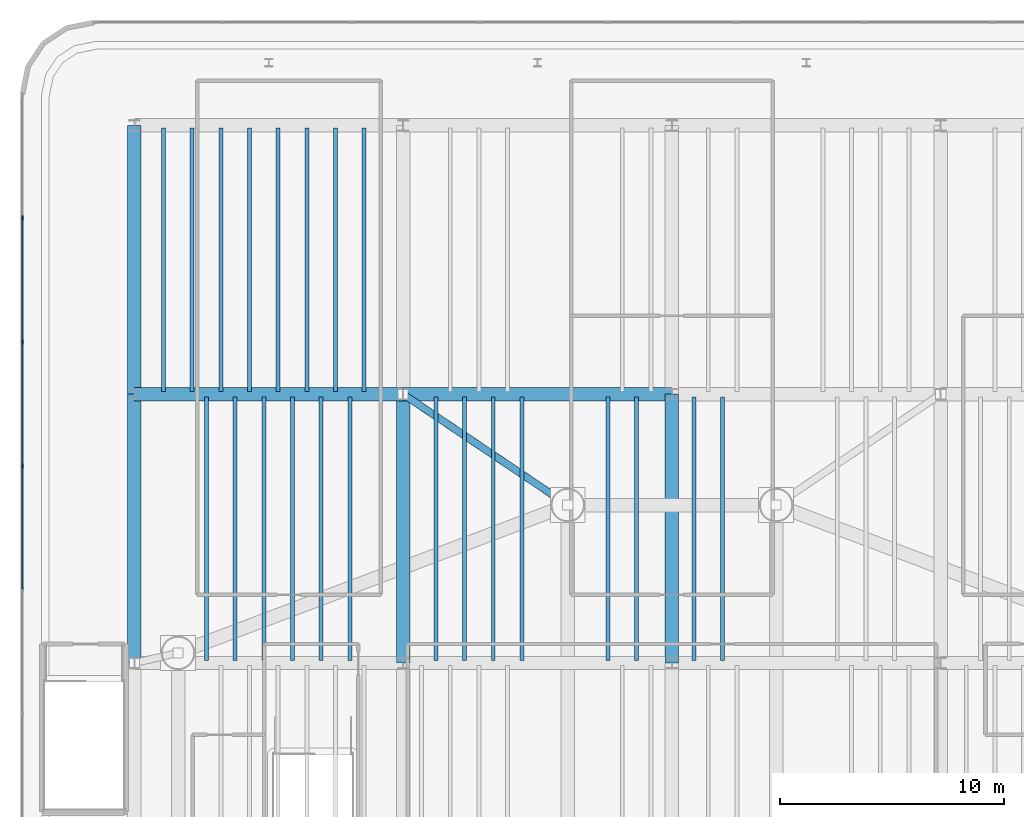
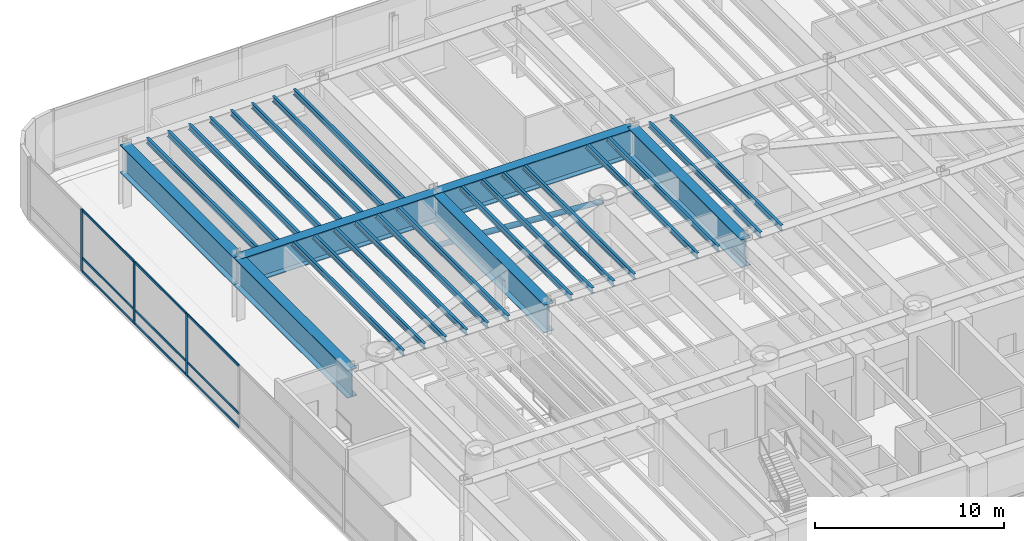
# One storey, part 7 of 18: 28 beams, 13 members, 1 element without a shape of its own.
"""IFC4 building model written with IfcOpenShell, lengths in metres."""

from ifc_helpers import new_model, si_unit, direction, frame, origin, origin_2d, place, context, subcontext, project, spatial, rectangle, hollow_circle, i_section, extrude, source, transform, mapped, material, layer, layer_set, material_profile, profile_set, type_object, element, aggregate, save


model = new_model("IFC4")

# Units and contexts
model_context = context("Model", 3, precision=1e-05, world=origin(), true_north=direction((0.0, 1.0)))
body_context = subcontext(model_context, "Body", "Model", "MODEL_VIEW")
ifc_project = project(units=[si_unit("LENGTHUNIT", "METRE"), si_unit("AREAUNIT", "SQUARE_METRE"), si_unit("VOLUMEUNIT", "CUBIC_METRE"), si_unit("PLANEANGLEUNIT", "RADIAN"), si_unit("MASSUNIT", "GRAM", prefix="KILO")], contexts=[model_context])

# Site, building, storey
site_placement = place(None, origin())
site = spatial("IfcSite", under=ifc_project, at=site_placement, CompositionType="ELEMENT")
building_placement = place(site_placement, origin())
building = spatial("IfcBuilding", under=site, at=building_placement, Name="Brelvock Crest Care Tower", CompositionType="ELEMENT")
storey_placement = place(building_placement, frame((0.0, 0.0, 22.679931640625)))
storey = spatial("IfcBuildingStorey", under=building, at=storey_placement, Name="L05", CompositionType="ELEMENT", Elevation=22.679931640625)

# Beams
ifc_material_1 = material(Name="Steel Grade 350", Category="steel")
ifc_material_profile_1 = material_profile(ifc_material_1, i_section(OverallWidth=0.172119140625, OverallDepth=0.35888671875, WebThickness=0.008056640625, FlangeThickness=0.012939453125, FilletRadius=0.011474609375, at=origin_2d()), Name="360UB56.7")
ifc_profile_set_1 = profile_set([ifc_material_profile_1], Name="Steel Grade 350")
beam_type_1 = type_object("IfcBeamType", Name="BM-J1", PredefinedType="JOIST", material=ifc_profile_set_1)
shared_shape_1 = source(origin(), body_context, "Body", "SweptSolid", [
    extrude(i_section(OverallWidth=0.172119140625, OverallDepth=0.35888671875, WebThickness=0.008056640625, FlangeThickness=0.012939453125, FilletRadius=0.011474609375, at=origin_2d()), origin(), (0.0, 0.0, 1.0), 11.77001953125),
])
for number, where, z_axis, x_axis, name in (
    (1, (13.300048828125, 42.114990234375, 3.820556640625), (0.0, 1.0, 0.0), (-1.0, 0.0, 0.0), "BM-PODJ-L05-1330-42"),
    (2, (15.219970703125, 30.114990234375, 3.820556640625), (0.0, 1.0, 0.0), (-1.0, 0.0, 0.0), "BM-PODJ-L05-1522-30"),
    (3, (14.580078125, 42.114990234375, 3.820556640625), (0.0, 1.0, 0.0), (-1.0, 0.0, 0.0), "BM-PODJ-L05-1458-42"),
    (4, (16.5, 30.114990234375, 3.820556640625), (0.0, 1.0, 0.0), (-1.0, 0.0, 0.0), "BM-PODJ-L05-1650-30"),
    (5, (15.860107421875, 42.114990234375, 3.820556640625), (0.0, 1.0, 0.0), (-1.0, 0.0, 0.0), "BM-PODJ-L05-1586-42"),
    (6, (17.780029296875, 30.114990234375, 3.820556640625), (0.0, 1.0, 0.0), (-1.0, 0.0, 0.0), "BM-PODJ-L05-1778-30"),
    (7, (17.139892578125, 42.114990234375, 3.820556640625), (0.0, 1.0, 0.0), (-1.0, 0.0, 0.0), "BM-PODJ-L05-1714-42"),
    (8, (19.06005859375, 30.114990234375, 3.820556640625), (0.0, 1.0, 0.0), (-1.0, 0.0, 0.0), "BM-PODJ-L05-1906-30"),
    (9, (18.419921875, 42.114990234375, 3.820556640625), (0.0, 1.0, 0.0), (-1.0, 0.0, 0.0), "BM-PODJ-L05-1842-42"),
    (10, (20.340087890625, 30.114990234375, 3.820556640625), (0.0, 1.0, 0.0), (-1.0, 0.0, 0.0), "BM-PODJ-L05-2034-30"),
    (11, (19.699951171875, 42.114990234375, 3.820556640625), (0.0, 1.0, 0.0), (-1.0, 0.0, 0.0), "BM-PODJ-L05-1970-42"),
    (12, (21.6201171875, 30.114990234375, 3.820556640625), (0.0, 1.0, 0.0), (-1.0, 0.0, 0.0), "BM-PODJ-L05-2162-30"),
    (13, (20.97998046875, 42.114990234375, 3.820556640625), (0.0, 1.0, 0.0), (-1.0, 0.0, 0.0), "BM-PODJ-L05-2098-42"),
    (14, (22.260009765625, 42.114990234375, 3.820556640625), (0.0, 1.0, 0.0), (-1.0, 0.0, 0.0), "BM-PODJ-L05-2226-42"),
    (15, (25.4599609375, 30.114990234375, 3.820556640625), (0.0, 1.0, 0.0), (-1.0, 0.0, 0.0), "BM-PODJ-L05-2546-30"),
    (16, (26.739990234375, 30.114990234375, 3.820556640625), (0.0, 1.0, 0.0), (-1.0, 0.0, 0.0), "BM-PODJ-L05-2674-30"),
    (17, (28.02001953125, 30.114990234375, 3.820556640625), (0.0, 1.0, 0.0), (-1.0, 0.0, 0.0), "BM-PODJ-L05-2802-30"),
    (18, (29.300048828125, 30.114990234375, 3.820556640625), (0.0, 1.0, 0.0), (-1.0, 0.0, 0.0), "BM-PODJ-L05-2930-30"),
    (19, (33.139892578125, 30.114990234375, 3.820556640625), (0.0, 1.0, 0.0), (-1.0, 0.0, 0.0), "BM-PODJ-L05-3314-30"),
    (20, (34.419921875, 30.114990234375, 3.820556640625), (0.0, 1.0, 0.0), (-1.0, 0.0, 0.0), "BM-PODJ-L05-3442-30"),
    (21, (36.97998046875, 30.114990234375, 3.820556640625), (0.0, 1.0, 0.0), (-1.0, 0.0, 0.0), "BM-PODJ-L05-3698-30"),
    (22, (38.260009765625, 30.114990234375, 3.820556640625), (0.0, 1.0, 0.0), (-1.0, 0.0, 0.0), "BM-PODJ-L05-3826-30"),
):
    element("IfcBeam", number, at=place(storey_placement, frame(where, z_axis=z_axis, x_axis=x_axis)), inside=storey, type_object=beam_type_1, Name=name, PredefinedType="JOIST", context=body_context, shape_type="MappedRepresentation", body=[
        mapped(shared_shape_1, transform((0.0, 0.0, 0.0), x_axis=(1.0, 0.0, 0.0), y_axis=(0.0, 1.0, 0.0), z_axis=(0.0, 0.0, 1.0), scale=1.0)),
    ])
ifc_material_profile_2 = material_profile(ifc_material_1, i_section(OverallWidth=0.60009765625, OverallDepth=1.800048828125, WebThickness=0.028076171875, FlangeThickness=0.052001953125, at=origin_2d()), Name="1800TG740")
ifc_profile_set_2 = profile_set([ifc_material_profile_2], Name="Steel Grade 350")
beam_type_2 = type_object("IfcBeamType", Name="BM-TG1", PredefinedType="USERDEFINED", material=ifc_profile_set_2)
shared_shape_2 = source(origin(), body_context, "Body", "SweptSolid", [
    extrude(i_section(OverallWidth=0.60009765625, OverallDepth=1.800048828125, WebThickness=0.028076171875, FlangeThickness=0.052001953125, at=origin_2d()), origin(), (0.0, 0.0, 1.0), 12.0),
])
for number, where, z_axis, x_axis, name in (
    (23, (12.0, 42.0, 3.10009765625), (1.0, 0.0, 0.0), (0.0, 1.0, 0.0), "BM-PODX-L05-42-12"),
    (24, (24.0, 42.0, 3.10009765625), (1.0, 0.0, 0.0), (0.0, 1.0, 0.0), "BM-PODX-L05-42-24"),
    (25, (12.0, 30.0, 3.10009765625), (0.0, 1.0, 0.0), (-1.0, 0.0, 0.0), "BM-PODY-L05-12-30"),
    (26, (12.0, 42.0, 3.10009765625), (0.0, 1.0, 0.0), (-1.0, 0.0, 0.0), "BM-PODY-L05-12-42"),
    (27, (24.0, 30.0, 3.10009765625), (0.0, 1.0, 0.0), (-1.0, 0.0, 0.0), "BM-PODY-L05-24-30"),
    (28, (36.0, 30.0, 3.10009765625), (0.0, 1.0, 0.0), (-1.0, 0.0, 0.0), "BM-PODY-L05-36-30"),
):
    element("IfcBeam", number, at=place(storey_placement, frame(where, z_axis=z_axis, x_axis=x_axis)), inside=storey, type_object=beam_type_2, Name=name, ObjectType="GIRDER", PredefinedType="USERDEFINED", context=body_context, shape_type="MappedRepresentation", body=[
        mapped(shared_shape_2, transform((0.0, 0.0, 0.0), x_axis=(1.0, 0.0, 0.0), y_axis=(0.0, 1.0, 0.0), z_axis=(0.0, 0.0, 1.0), scale=1.0)),
    ])

# Member
ifc_material_profile_3 = material_profile(ifc_material_1, hollow_circle(Radius=0.161865234375, WallThickness=0.0126953125, at=origin_2d()), Name="CHS323.9x12.7")
ifc_profile_set_3 = profile_set([ifc_material_profile_3], Name="Steel Grade 350")
member_type_1 = type_object("IfcMemberType", Name="MEM-ST1", PredefinedType="STRUT", material=ifc_profile_set_3)
shared_shape_3 = source(origin(), body_context, "Body", "SweptSolid", [
    extrude(hollow_circle(Radius=0.161865234375, WallThickness=0.0126953125, at=origin_2d()), origin(), (0.0, 0.0, 1.0), 9.463134765625),
])
member_1_placement = place(storey_placement, frame((24.0, 42.0, 0.449951171875), z_axis=(0.776717713092, -0.523083492757, 0.350846481776), x_axis=(0.558591482686, 0.829442918754, 0.0)))
element("IfcMember", 29, at=member_1_placement, inside=storey, type_object=member_type_1, Name="L05 Transfer Strut PST-07", PredefinedType="STRUT", context=body_context, shape_type="MappedRepresentation", body=[
    mapped(shared_shape_3, transform((0.0, 0.0, 0.0), x_axis=(1.0, 0.0, 0.0), y_axis=(0.0, 1.0, 0.0), z_axis=(0.0, 0.0, 1.0), scale=1.0)),
])

# Curtain wall, members
ifc_material_2 = material(Name="Dark Glass Double Glazed Low-E", Category="glass")
ifc_layer = layer(ifc_material_2, 0.179931640625, Name="CWS-1")
ifc_layer_set = layer_set([ifc_layer], Name="Dark Glass Double Glazed Low-E")
curtain_wall_type = type_object("IfcCurtainWallType", Name="CWS-1", PredefinedType="NOTDEFINED", material=ifc_layer_set)
curtain_wall_placement = place(storey_placement, origin())
curtain_wall = element("IfcCurtainWall", 30, at=curtain_wall_placement, inside=storey, type_object=curtain_wall_type, Name="L05 Curtain Wall E04", PredefinedType="NOTDEFINED")
ifc_material_3 = material(Name="Aluminium 6063-T6", Category="aluminium")
ifc_material_profile_4 = material_profile(ifc_material_3, rectangle(XDim=0.06494140625, YDim=0.14990234375, at=origin_2d()), Name="ALU65x150")
ifc_profile_set_4 = profile_set([ifc_material_profile_4], Name="Aluminium 6063-T6")
member_type_2 = type_object("IfcMemberType", Name="CWT-1", PredefinedType="USERDEFINED", material=ifc_profile_set_4)
shared_shape_4 = source(origin(), body_context, "Body", "SweptSolid", [
    extrude(rectangle(XDim=0.06494140625, YDim=0.14990234375, at=origin_2d()), origin(), (0.0, 0.0, 1.0), 5.468505859375),
])
member_2_placement = place(storey_placement, frame((7.0, 33.299072265625, 0.032470703125), z_axis=(0.0, 1.0, 0.0), x_axis=(-1.0, 0.0, 0.0)))
member_2 = element("IfcMember", 31, at=member_2_placement, type_object=member_type_2, Name="CW-1 transom 6.1", ObjectType="TRANSOM", PredefinedType="USERDEFINED", context=body_context, shape_type="MappedRepresentation", body=[
    mapped(shared_shape_4, transform((0.0, 0.0, 0.0), x_axis=(1.0, 0.0, 0.0), y_axis=(0.0, 1.0, 0.0), z_axis=(0.0, 0.0, 1.0), scale=1.0)),
])
member_3_placement = place(storey_placement, frame((7.0, 33.299072265625, 0.900146484375), z_axis=(0.0, 1.0, 0.0), x_axis=(-1.0, 0.0, 0.0)))
member_3 = element("IfcMember", 32, at=member_3_placement, type_object=member_type_2, Name="CW-1 transom 6.2", ObjectType="TRANSOM", PredefinedType="USERDEFINED", context=body_context, shape_type="MappedRepresentation", body=[
    mapped(shared_shape_4, transform((0.0, 0.0, 0.0), x_axis=(1.0, 0.0, 0.0), y_axis=(0.0, 1.0, 0.0), z_axis=(0.0, 0.0, 1.0), scale=1.0)),
])
member_4_placement = place(storey_placement, frame((7.0, 33.299072265625, 3.967529296875), z_axis=(0.0, 1.0, 0.0), x_axis=(-1.0, 0.0, 0.0)))
member_4 = element("IfcMember", 33, at=member_4_placement, type_object=member_type_2, Name="CW-1 transom 6.3", ObjectType="TRANSOM", PredefinedType="USERDEFINED", context=body_context, shape_type="MappedRepresentation", body=[
    mapped(shared_shape_4, transform((0.0, 0.0, 0.0), x_axis=(1.0, 0.0, 0.0), y_axis=(0.0, 1.0, 0.0), z_axis=(0.0, 0.0, 1.0), scale=1.0)),
])
member_5_placement = place(storey_placement, frame((7.0, 44.36572265625, 0.032470703125), z_axis=(0.0, 1.0, 0.0), x_axis=(-1.0, 0.0, 0.0)))
member_5 = element("IfcMember", 34, at=member_5_placement, type_object=member_type_2, Name="CW-1 transom 8.1", ObjectType="TRANSOM", PredefinedType="USERDEFINED", context=body_context, shape_type="MappedRepresentation", body=[
    mapped(shared_shape_4, transform((0.0, 0.0, 0.0), x_axis=(1.0, 0.0, 0.0), y_axis=(0.0, 1.0, 0.0), z_axis=(0.0, 0.0, 1.0), scale=1.0)),
])
member_6_placement = place(storey_placement, frame((7.0, 44.36572265625, 0.900146484375), z_axis=(0.0, 1.0, 0.0), x_axis=(-1.0, 0.0, 0.0)))
member_6 = element("IfcMember", 35, at=member_6_placement, type_object=member_type_2, Name="CW-1 transom 8.2", ObjectType="TRANSOM", PredefinedType="USERDEFINED", context=body_context, shape_type="MappedRepresentation", body=[
    mapped(shared_shape_4, transform((0.0, 0.0, 0.0), x_axis=(1.0, 0.0, 0.0), y_axis=(0.0, 1.0, 0.0), z_axis=(0.0, 0.0, 1.0), scale=1.0)),
])
member_7_placement = place(storey_placement, frame((7.0, 44.36572265625, 3.967529296875), z_axis=(0.0, 1.0, 0.0), x_axis=(-1.0, 0.0, 0.0)))
member_7 = element("IfcMember", 36, at=member_7_placement, type_object=member_type_2, Name="CW-1 transom 8.3", ObjectType="TRANSOM", PredefinedType="USERDEFINED", context=body_context, shape_type="MappedRepresentation", body=[
    mapped(shared_shape_4, transform((0.0, 0.0, 0.0), x_axis=(1.0, 0.0, 0.0), y_axis=(0.0, 1.0, 0.0), z_axis=(0.0, 0.0, 1.0), scale=1.0)),
])
shared_shape_5 = source(origin(), body_context, "Body", "SweptSolid", [
    extrude(rectangle(XDim=0.06494140625, YDim=0.14990234375, at=origin_2d()), origin(), (0.0, 0.0, 1.0), 5.46826171875),
])
member_8_placement = place(storey_placement, frame((7.0, 38.83251953125, 0.032470703125), z_axis=(0.0, 1.0, 0.0), x_axis=(-1.0, 0.0, 0.0)))
member_8 = element("IfcMember", 37, at=member_8_placement, type_object=member_type_2, Name="CW-1 transom 7.1", ObjectType="TRANSOM", PredefinedType="USERDEFINED", context=body_context, shape_type="MappedRepresentation", body=[
    mapped(shared_shape_5, transform((0.0, 0.0, 0.0), x_axis=(1.0, 0.0, 0.0), y_axis=(0.0, 1.0, 0.0), z_axis=(0.0, 0.0, 1.0), scale=1.0)),
])
member_9_placement = place(storey_placement, frame((7.0, 38.83251953125, 0.900146484375), z_axis=(0.0, 1.0, 0.0), x_axis=(-1.0, 0.0, 0.0)))
member_9 = element("IfcMember", 38, at=member_9_placement, type_object=member_type_2, Name="CW-1 transom 7.2", ObjectType="TRANSOM", PredefinedType="USERDEFINED", context=body_context, shape_type="MappedRepresentation", body=[
    mapped(shared_shape_5, transform((0.0, 0.0, 0.0), x_axis=(1.0, 0.0, 0.0), y_axis=(0.0, 1.0, 0.0), z_axis=(0.0, 0.0, 1.0), scale=1.0)),
])
member_10_placement = place(storey_placement, frame((7.0, 38.83251953125, 3.967529296875), z_axis=(0.0, 1.0, 0.0), x_axis=(-1.0, 0.0, 0.0)))
member_10 = element("IfcMember", 39, at=member_10_placement, type_object=member_type_2, Name="CW-1 transom 7.3", ObjectType="TRANSOM", PredefinedType="USERDEFINED", context=body_context, shape_type="MappedRepresentation", body=[
    mapped(shared_shape_5, transform((0.0, 0.0, 0.0), x_axis=(1.0, 0.0, 0.0), y_axis=(0.0, 1.0, 0.0), z_axis=(0.0, 0.0, 1.0), scale=1.0)),
])
ifc_material_profile_5 = material_profile(ifc_material_3, rectangle(XDim=0.06494140625, YDim=0.199951171875, at=origin_2d()), Name="ALU65x200")
ifc_profile_set_5 = profile_set([ifc_material_profile_5], Name="Aluminium 6063-T6")
member_type_3 = type_object("IfcMemberType", Name="CWM-1", PredefinedType="MULLION", material=ifc_profile_set_5)
shared_shape_6 = source(origin(), body_context, "Body", "SweptSolid", [
    extrude(rectangle(XDim=0.06494140625, YDim=0.199951171875, at=origin_2d()), origin(), (0.0, 0.0, 1.0), 4.0),
])
member_11_placement = place(storey_placement, frame((7.0, 38.800048828125, 0.0), z_axis=(0.0, 0.0, 1.0), x_axis=(-1.0, 0.0, 0.0)))
member_11 = element("IfcMember", 40, at=member_11_placement, type_object=member_type_3, Name="CW-1 mullion 7", PredefinedType="MULLION", context=body_context, shape_type="MappedRepresentation", body=[
    mapped(shared_shape_6, transform((0.0, 0.0, 0.0), x_axis=(1.0, 0.0, 0.0), y_axis=(0.0, 1.0, 0.0), z_axis=(0.0, 0.0, 1.0), scale=1.0)),
])
member_12_placement = place(storey_placement, frame((7.0, 44.333251953125, 0.0), z_axis=(0.0, 0.0, 1.0), x_axis=(-1.0, 0.0, 0.0)))
member_12 = element("IfcMember", 41, at=member_12_placement, type_object=member_type_3, Name="CW-1 mullion 8", PredefinedType="MULLION", context=body_context, shape_type="MappedRepresentation", body=[
    mapped(shared_shape_6, transform((0.0, 0.0, 0.0), x_axis=(1.0, 0.0, 0.0), y_axis=(0.0, 1.0, 0.0), z_axis=(0.0, 0.0, 1.0), scale=1.0)),
])
member_13_placement = place(storey_placement, frame((7.0, 49.86669921875, 0.0), z_axis=(0.0, 0.0, 1.0), x_axis=(-1.0, 0.0, 0.0)))
member_13 = element("IfcMember", 42, at=member_13_placement, type_object=member_type_3, Name="CW-1 mullion 9", PredefinedType="MULLION", context=body_context, shape_type="MappedRepresentation", body=[
    mapped(shared_shape_6, transform((0.0, 0.0, 0.0), x_axis=(1.0, 0.0, 0.0), y_axis=(0.0, 1.0, 0.0), z_axis=(0.0, 0.0, 1.0), scale=1.0)),
])
aggregate(curtain_wall, [member_11, member_12, member_13, member_2, member_3, member_4, member_8, member_9, member_10, member_5, member_6, member_7])

save(model, "model.ifc")
